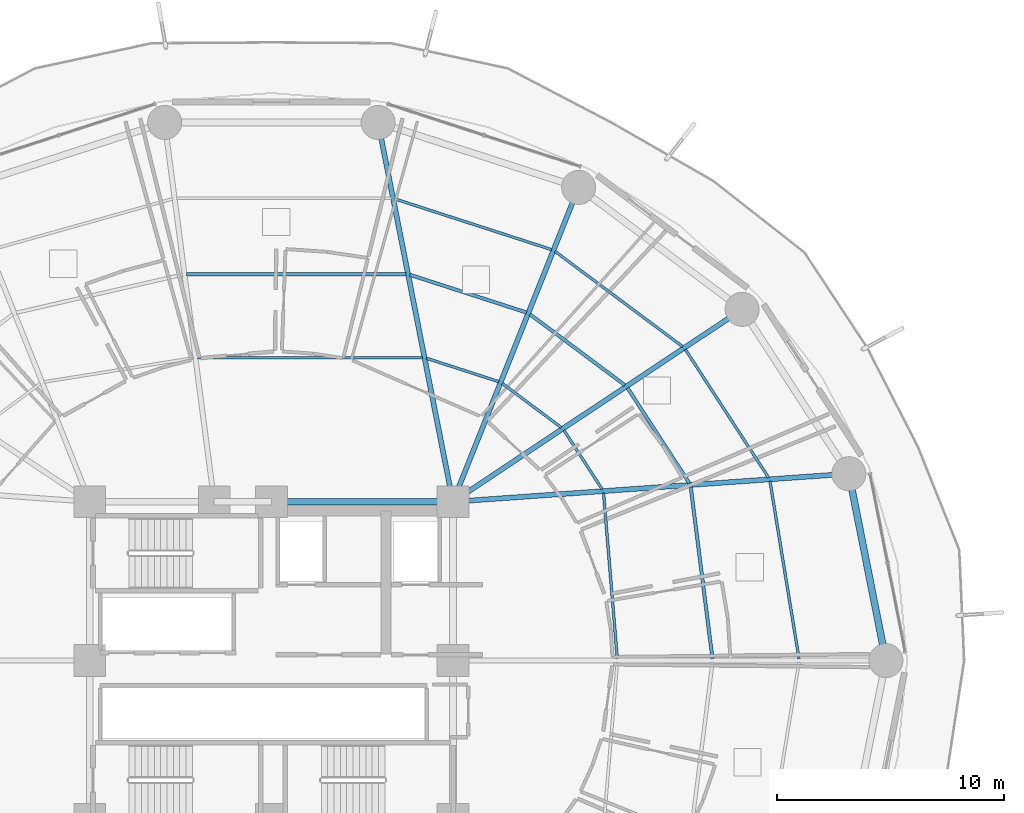
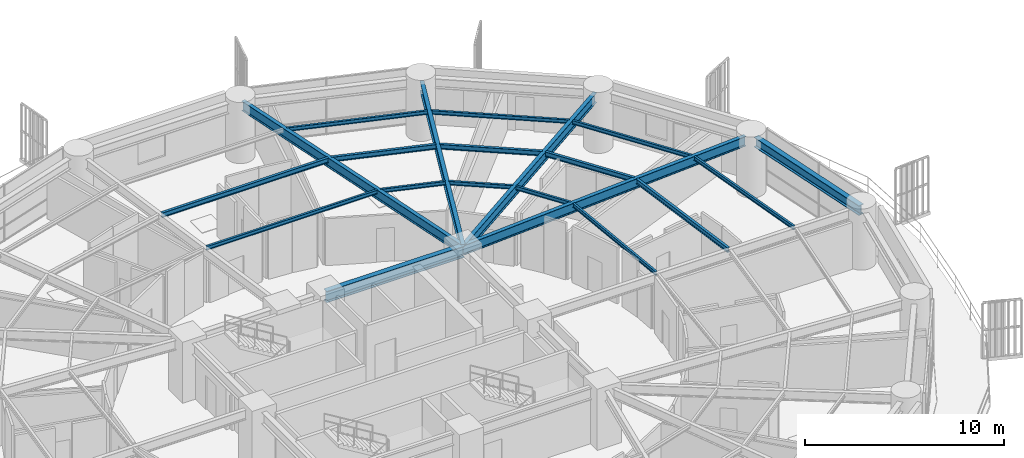
# One storey, part 19 of 33: 20 beams.
"""IFC4 building model written with IfcOpenShell, lengths in metres."""

import ifcopenshell
import ifcopenshell.guid

model = None  # the IFC model being written
_history = None  # IfcOwnerHistory: only IFC2X3 demands one
_inside = {}  # id of a spatial element -> (the spatial element, [elements in it])
_under = {}  # id of a project, library or spatial element -> (it, [spatial elements below it])
_declared = {}  # id of a project -> (the project, [libraries it declares])
_typed = {}  # id of a type object -> (the type object, [elements of that type])
_made_of = {}  # id of a material, layer set ... -> (it, [elements and type objects made of it])


def new_model(schema):
    """Start an empty IFC model of exactly this schema.

    Asked for "IFC4X3", IfcOpenShell would pick the latest addendum, in which some entities
    have other attributes; the version numbers below select the first issue.
    IFC2X3 requires an IfcOwnerHistory on every rooted entity: one is made here for all.
    """
    global model, _history
    if schema == "IFC4X3":
        model = ifcopenshell.file(schema_version=(4, 3, 0, 0))
    else:
        model = ifcopenshell.file(schema=schema)
    _inside.clear()
    _under.clear()
    _declared.clear()
    _typed.clear()
    _made_of.clear()
    _history = None
    if model.schema == "IFC2X3":
        org = make("IfcOrganization", Name="unknown")
        user = make(
            "IfcPersonAndOrganization",
            ThePerson=make("IfcPerson", FamilyName="unknown"),
            TheOrganization=org,
        )
        app = make(
            "IfcApplication",
            ApplicationDeveloper=org,
            Version="unknown",
            ApplicationFullName="unknown",
            ApplicationIdentifier="unknown",
        )
        _history = make(
            "IfcOwnerHistory",
            OwningUser=user,
            OwningApplication=app,
            ChangeAction="ADDED",
            CreationDate=0,
        )
    return model


def make(cls, **values):
    """One entity of the class cls with the attributes given. An attribute that is None is left unset."""
    return model.create_entity(
        cls, **{name: value for name, value in values.items() if value is not None}
    )


def rooted(cls, **values):
    """An entity with a GlobalId (a new one), such as an element, a storey or a relation."""
    return make(cls, GlobalId=ifcopenshell.guid.new(), OwnerHistory=_history, **values)


def si_unit(unit_type, name, prefix=None):
    """IfcSIUnit, for example si_unit("LENGTHUNIT", "METRE", prefix="MILLI")."""
    return make("IfcSIUnit", UnitType=unit_type, Prefix=prefix, Name=name)


def assignment(units):
    """IfcUnitAssignment: the units of a project."""
    return None if units is None else make("IfcUnitAssignment", Units=units)


def point(xyz):
    """IfcCartesianPoint."""
    return None if xyz is None else make("IfcCartesianPoint", Coordinates=xyz)


def direction(xyz):
    """IfcDirection."""
    return None if xyz is None else make("IfcDirection", DirectionRatios=xyz)


def frame(location, z_axis=None, x_axis=None):
    """IfcAxis2Placement3D, a coordinate frame: its origin and axes. An axis left out is left unset."""
    return make(
        "IfcAxis2Placement3D",
        Location=point(location),
        Axis=direction(z_axis),
        RefDirection=direction(x_axis),
    )


def frame_2d(location, x_axis=None):
    """IfcAxis2Placement2D, a coordinate frame in the plane: its origin and x axis."""
    return make(
        "IfcAxis2Placement2D", Location=point(location), RefDirection=direction(x_axis)
    )


def origin():
    """The frame at (0, 0, 0) with its axes left unset."""
    return frame((0.0, 0.0, 0.0))


def origin_2d():
    """The frame at (0, 0) in the plane with its x axis left unset."""
    return frame_2d((0.0, 0.0))


def place(relative_to, where):
    """IfcLocalPlacement: puts the frame where relative to a parent placement (None: the world)."""
    return make(
        "IfcLocalPlacement", PlacementRelTo=relative_to, RelativePlacement=where
    )


def context(
    kind, dimensions, precision=None, world=None, true_north=None, identifier=None
):
    """IfcGeometricRepresentationContext, for example the 3D "Model" context."""
    return make(
        "IfcGeometricRepresentationContext",
        ContextIdentifier=identifier,
        ContextType=kind,
        CoordinateSpaceDimension=dimensions,
        Precision=precision,
        WorldCoordinateSystem=world,
        TrueNorth=true_north,
    )


def subcontext(parent, identifier, kind, view, scale=None):
    """IfcGeometricRepresentationSubContext, for example "Body" below "Model"."""
    return make(
        "IfcGeometricRepresentationSubContext",
        ContextIdentifier=identifier,
        ContextType=kind,
        ParentContext=parent,
        TargetScale=scale,
        TargetView=view,
    )


def project(units=None, contexts=None):
    """IfcProject with its units and contexts."""
    return rooted(
        "IfcProject",
        Name="project",
        RepresentationContexts=contexts,
        UnitsInContext=assignment(units),
    )


def spatial(cls, under=None, at=None, **own):
    """A site, building, storey or space (cls), placed at a placement, below another one or the project."""
    s = rooted(cls, ObjectPlacement=at, **own)
    if under is not None:
        _under.setdefault(under.id(), (under, []))[1].append(s)
    return s


def profile(cls, at=None, kind="AREA", **sizes):
    """A parametric profile (cls). Its sizes go by their IFC names, for example OverallWidth=200.0."""
    return make(cls, ProfileType=kind, Position=at, **sizes)


def i_section(**sizes):
    """IfcIShapeProfileDef."""
    return profile("IfcIShapeProfileDef", **sizes)


def extrude(swept, where, along, depth):
    """IfcExtrudedAreaSolid: the profile swept, set in the frame where, extruded along a direction by depth."""
    return make(
        "IfcExtrudedAreaSolid",
        SweptArea=swept,
        Position=where,
        ExtrudedDirection=direction(along),
        Depth=depth,
    )


def shape(context_of_items, identifier, shape_type, items):
    """IfcShapeRepresentation: the items that make up one representation, for example the "Body"."""
    return make(
        "IfcShapeRepresentation",
        ContextOfItems=context_of_items,
        RepresentationIdentifier=identifier,
        RepresentationType=shape_type,
        Items=items,
    )


def material(Name=None, Category=None):
    """IfcMaterial."""
    return make("IfcMaterial", Name=Name, Category=Category)


def material_profile(
    of_material, cross_section, Name=None, Category=None, Priority=None
):
    """IfcMaterialProfile: a cross section and its material."""
    return make(
        "IfcMaterialProfile",
        Name=Name,
        Material=of_material,
        Profile=cross_section,
        Priority=Priority,
        Category=Category,
    )


def profile_set(profiles, Name=None, composite=None):
    """IfcMaterialProfileSet."""
    return make(
        "IfcMaterialProfileSet",
        Name=Name,
        MaterialProfiles=profiles,
        CompositeProfile=composite,
    )


def made_of(thing, what):
    """Note that an element or type object is made of a material, layer set ...; save() writes the relation."""
    if what is not None:
        _made_of.setdefault(what.id(), (what, []))[1].append(thing)
    return thing


def type_object(cls, material=None, **own):
    """A type object (cls), such as IfcWallType, which elements share."""
    return made_of(rooted(cls, **own), material)


def element(
    cls,
    number,
    at=None,
    inside=None,
    cuts=None,
    type_object=None,
    material=None,
    context=None,
    identifier="Body",
    shape_type=None,
    held_by="IfcProductDefinitionShape",
    body=None,
    shapes=None,
    **own,
):
    """One element of the class cls, such as IfcWall. Its Tag is "e" and its number.

    at: its placement. inside: the storey or other place that contains it. cuts: it is an
    opening in that element (IfcRelVoidsElement). A single representation is given by context,
    identifier, shape_type and body (its items); several are given by shapes. held_by: the class
    of the entity that holds the representations. save() writes the other relations.
    """
    e = rooted(cls, Tag="e%d" % number, ObjectPlacement=at, **own)
    if body is not None:
        shapes = [shape(context, identifier, shape_type, body)]
    if shapes is not None:
        e.Representation = make(held_by, Representations=shapes)
    if inside is not None:
        _inside.setdefault(inside.id(), (inside, []))[1].append(e)
    if cuts is not None:
        rooted(
            "IfcRelVoidsElement", RelatingBuildingElement=cuts, RelatedOpeningElement=e
        )
    if type_object is not None:
        _typed.setdefault(type_object.id(), (type_object, []))[1].append(e)
    return made_of(e, material)


def aggregate(whole, parts):
    """IfcRelAggregates: a whole, such as a stair, and the parts it consists of."""
    return rooted("IfcRelAggregates", RelatingObject=whole, RelatedObjects=parts)


def save(model, path):
    """Write the relations noted so far, then the file.

    IfcRelAggregates (storeys below a building ...), IfcRelContainedInSpatialStructure (elements
    in a storey), IfcRelDefinesByType, IfcRelAssociatesMaterial and IfcRelDeclares: one each for
    every whole, place, type object, material and project.
    """
    for whole, parts in _under.values():
        aggregate(whole, parts)
    for where, things in _inside.values():
        rooted(
            "IfcRelContainedInSpatialStructure",
            RelatedElements=things,
            RelatingStructure=where,
        )
    for kind, things in _typed.values():
        rooted("IfcRelDefinesByType", RelatedObjects=things, RelatingType=kind)
    for what, things in _made_of.values():
        rooted("IfcRelAssociatesMaterial", RelatedObjects=things, RelatingMaterial=what)
    for by, libraries in _declared.values():
        rooted("IfcRelDeclares", RelatingContext=by, RelatedDefinitions=libraries)
    model.write(path)


model = new_model("IFC4")

# Units and contexts
model_context = context("Model", 3, precision=1e-05, world=origin(), true_north=direction((0.0, 1.0)))
body_context = subcontext(model_context, "Body", "Model", "MODEL_VIEW")
ifc_project = project(units=[si_unit("LENGTHUNIT", "METRE"), si_unit("AREAUNIT", "SQUARE_METRE"), si_unit("VOLUMEUNIT", "CUBIC_METRE"), si_unit("PLANEANGLEUNIT", "RADIAN"), si_unit("MASSUNIT", "GRAM", prefix="KILO")], contexts=[model_context])

# Site, building, storey
site_placement = place(None, origin())
site = spatial("IfcSite", under=ifc_project, at=site_placement, CompositionType="ELEMENT")
building_placement = place(site_placement, origin())
building = spatial("IfcBuilding", under=site, at=building_placement, Name="Kelanora Arch Commons", CompositionType="ELEMENT")
storey_placement = place(building_placement, frame((0.0, 0.0, 26.25)))
storey = spatial("IfcBuildingStorey", under=building, at=storey_placement, Name="L06", CompositionType="ELEMENT", Elevation=26.25)

# Beams
ifc_material = material(Name="Steel S355", Category="steel")
ifc_material_profile_1 = material_profile(ifc_material, i_section(OverallWidth=0.300048828125, OverallDepth=0.699951171875, WebThickness=0.01708984375, FlangeThickness=0.031982421875, FilletRadius=0.027099609375, at=origin_2d()), Name="HEB700")
ifc_profile_set_1 = profile_set([ifc_material_profile_1], Name="Steel S355")
beam_type_1 = type_object("IfcBeamType", Name="BM-CORE-HDR", PredefinedType="BEAM", material=ifc_profile_set_1)
beam_1_placement = place(storey_placement, frame((82.0, 65.0, 3.139892578125), z_axis=(-1.0, 0.0, 0.0), x_axis=(0.0, -1.0, 0.0)))
element("IfcBeam", 1, at=beam_1_placement, inside=storey, type_object=beam_type_1, Name="Core Header Beam 05 L06", PredefinedType="BEAM", context=body_context, shape_type="SweptSolid", body=[
    extrude(i_section(OverallWidth=0.300048828125, OverallDepth=0.699951171875, WebThickness=0.01708984375, FlangeThickness=0.031982421875, FilletRadius=0.027099609375, at=origin_2d()), origin(), (0.0, 0.0, 1.0), 8.0),
])
ifc_material_profile_2 = material_profile(ifc_material, i_section(OverallWidth=0.14990234375, OverallDepth=0.300048828125, WebThickness=0.007080078125, FlangeThickness=0.0107421875, FilletRadius=0.014892578125, at=origin_2d()), Name="IPE300")
ifc_profile_set_2 = profile_set([ifc_material_profile_2], Name="Steel S355")
beam_type_2 = type_object("IfcBeamType", Name="BM-JST-01", PredefinedType="JOIST", material=ifc_profile_set_2)
beam_2_placement = place(storey_placement, frame((93.437255859375, 58.084228515625, 3.340087890625), z_axis=(-0.125565841651, 0.992085288375, 0.0), x_axis=(-0.992085288375, -0.125565841651, 0.0)))
element("IfcBeam", 2, at=beam_2_placement, inside=storey, type_object=beam_type_2, Name="Secondary Chord Joist BJB-00 L06", PredefinedType="JOIST", context=body_context, shape_type="SweptSolid", body=[
    extrude(i_section(OverallWidth=0.14990234375, OverallDepth=0.300048828125, WebThickness=0.007080078125, FlangeThickness=0.0107421875, FilletRadius=0.014892578125, at=origin_2d()), origin(), (0.0, 0.0, 1.0), 7.63330078125),
])
beam_3_placement = place(storey_placement, frame((92.421875, 65.812744140625, 3.340087890625), z_axis=(-0.544551588245, 0.838727350061, 0.0), x_axis=(-0.838727350061, -0.544551588245, 0.0)))
element("IfcBeam", 3, at=beam_3_placement, inside=storey, type_object=beam_type_2, Name="Secondary Chord Joist BJB-02 L06", PredefinedType="JOIST", context=body_context, shape_type="SweptSolid", body=[
    extrude(i_section(OverallWidth=0.14990234375, OverallDepth=0.300048828125, WebThickness=0.007080078125, FlangeThickness=0.0107421875, FilletRadius=0.014892578125, at=origin_2d()), origin(), (0.0, 0.0, 1.0), 5.010986328125),
])
beam_4_placement = place(storey_placement, frame((89.57861328125, 70.1376953125, 3.340087890625), z_axis=(-0.801478251559, 0.598023922831, 0.0), x_axis=(-0.598023922831, -0.801478251559, 0.0)))
element("IfcBeam", 4, at=beam_4_placement, inside=storey, type_object=beam_type_2, Name="Secondary Chord Joist BJB-04 L06", PredefinedType="JOIST", context=body_context, shape_type="SweptSolid", body=[
    extrude(i_section(OverallWidth=0.14990234375, OverallDepth=0.300048828125, WebThickness=0.007080078125, FlangeThickness=0.0107421875, FilletRadius=0.014892578125, at=origin_2d()), origin(), (0.0, 0.0, 1.0), 5.223388671875),
])
beam_5_placement = place(storey_placement, frame((85.2431640625, 73.33837890625, 3.340087890625), z_axis=(-0.951412209627, 0.307920131482, 0.0), x_axis=(-0.307920131482, -0.951412209627, 0.0)))
element("IfcBeam", 5, at=beam_5_placement, inside=storey, type_object=beam_type_2, Name="Secondary Chord Joist BJB-06 L06", PredefinedType="JOIST", context=body_context, shape_type="SweptSolid", body=[
    extrude(i_section(OverallWidth=0.14990234375, OverallDepth=0.300048828125, WebThickness=0.007080078125, FlangeThickness=0.0107421875, FilletRadius=0.014892578125, at=origin_2d()), origin(), (0.0, 0.0, 1.0), 5.4033203125),
])
beam_6_placement = place(storey_placement, frame((79.936279296875, 75.028564453125, 3.340087890625), z_axis=(-1.0, 0.0, 0.0), x_axis=(0.0, -1.0, 0.0)))
element("IfcBeam", 6, at=beam_6_placement, inside=storey, type_object=beam_type_2, Name="Secondary Chord Joist BJB-08 L06", PredefinedType="JOIST", context=body_context, shape_type="SweptSolid", body=[
    extrude(i_section(OverallWidth=0.14990234375, OverallDepth=0.300048828125, WebThickness=0.007080078125, FlangeThickness=0.0107421875, FilletRadius=0.014892578125, at=origin_2d()), origin(), (0.0, 0.0, 1.0), 9.6806640625),
])
ifc_material_profile_3 = material_profile(ifc_material, i_section(OverallWidth=0.1201171875, OverallDepth=0.239990234375, WebThickness=0.006103515625, FlangeThickness=0.009765625, FilletRadius=0.014892578125, at=origin_2d()), Name="IPE240")
ifc_profile_set_3 = profile_set([ifc_material_profile_3], Name="Steel S355")
beam_type_3 = type_object("IfcBeamType", Name="BM-JST-02", PredefinedType="JOIST", material=ifc_profile_set_3)
beam_7_placement = place(storey_placement, frame((89.243408203125, 58.084716796875, 3.3701171875), z_axis=(-0.082786209886, 0.996567330115, 0.0), x_axis=(-0.996567330115, -0.082786209886, 0.0)))
element("IfcBeam", 7, at=beam_7_placement, inside=storey, type_object=beam_type_3, Name="Secondary Chord Joist BJA-00 L06", PredefinedType="JOIST", context=body_context, shape_type="SweptSolid", body=[
    extrude(i_section(OverallWidth=0.1201171875, OverallDepth=0.239990234375, WebThickness=0.006103515625, FlangeThickness=0.009765625, FilletRadius=0.014892578125, at=origin_2d()), origin(), (0.0, 0.0, 1.0), 7.325439453125),
])
beam_8_placement = place(storey_placement, frame((97.250244140625, 58.083984375, 3.3701171875), z_axis=(-0.161400737199, 0.986888951216, 0.0), x_axis=(-0.986888951216, -0.161400737199, 0.0)))
element("IfcBeam", 8, at=beam_8_placement, inside=storey, type_object=beam_type_3, Name="Secondary Chord Joist BJC-00 L06", PredefinedType="JOIST", context=body_context, shape_type="SweptSolid", body=[
    extrude(i_section(OverallWidth=0.1201171875, OverallDepth=0.239990234375, WebThickness=0.006103515625, FlangeThickness=0.009765625, FilletRadius=0.014892578125, at=origin_2d()), origin(), (0.0, 0.0, 1.0), 7.9248046875),
])
beam_9_placement = place(storey_placement, frame((88.58349609375, 65.541015625, 3.3701171875), z_axis=(-0.544591105858, 0.838701691557, 0.0), x_axis=(-0.838701691557, -0.544591105858, 0.0)))
element("IfcBeam", 9, at=beam_9_placement, inside=storey, type_object=beam_type_3, Name="Secondary Chord Joist BJA-02 L06", PredefinedType="JOIST", context=body_context, shape_type="SweptSolid", body=[
    extrude(i_section(OverallWidth=0.1201171875, OverallDepth=0.239990234375, WebThickness=0.006103515625, FlangeThickness=0.009765625, FilletRadius=0.014892578125, at=origin_2d()), origin(), (0.0, 0.0, 1.0), 3.111328125),
])
beam_10_placement = place(storey_placement, frame((95.9111328125, 66.059814453125, 3.3701171875), z_axis=(-0.544550165372, 0.838728273873, 0.0), x_axis=(-0.838728273873, -0.544550165372, 0.0)))
element("IfcBeam", 10, at=beam_10_placement, inside=storey, type_object=beam_type_3, Name="Secondary Chord Joist BJC-02 L06", PredefinedType="JOIST", context=body_context, shape_type="SweptSolid", body=[
    extrude(i_section(OverallWidth=0.1201171875, OverallDepth=0.239990234375, WebThickness=0.006103515625, FlangeThickness=0.009765625, FilletRadius=0.014892578125, at=origin_2d()), origin(), (0.0, 0.0, 1.0), 6.738037109375),
])
beam_11_placement = place(storey_placement, frame((86.77490234375, 68.272705078125, 3.3701171875), z_axis=(-0.801513822608, 0.59797624716, 0.0), x_axis=(-0.59797624716, -0.801513822608, 0.0)))
element("IfcBeam", 11, at=beam_11_placement, inside=storey, type_object=beam_type_3, Name="Secondary Chord Joist BJA-04 L06", PredefinedType="JOIST", context=body_context, shape_type="SweptSolid", body=[
    extrude(i_section(OverallWidth=0.1201171875, OverallDepth=0.239990234375, WebThickness=0.006103515625, FlangeThickness=0.009765625, FilletRadius=0.014892578125, at=origin_2d()), origin(), (0.0, 0.0, 1.0), 3.245849609375),
])
beam_12_placement = place(storey_placement, frame((92.12744140625, 71.83349609375, 3.3701171875), z_axis=(-0.80149131963, 0.598006408459, 0.0), x_axis=(-0.598006408459, -0.80149131963, 0.0)))
element("IfcBeam", 12, at=beam_12_placement, inside=storey, type_object=beam_type_3, Name="Secondary Chord Joist BJC-04 L06", PredefinedType="JOIST", context=body_context, shape_type="SweptSolid", body=[
    extrude(i_section(OverallWidth=0.1201171875, OverallDepth=0.239990234375, WebThickness=0.006103515625, FlangeThickness=0.009765625, FilletRadius=0.014892578125, at=origin_2d()), origin(), (0.0, 0.0, 1.0), 7.021240234375),
])
beam_13_placement = place(storey_placement, frame((84.0244140625, 70.290771484375, 3.3701171875), z_axis=(-0.951422608074, 0.30788800049, 0.0), x_axis=(-0.30788800049, -0.951422608074, 0.0)))
element("IfcBeam", 13, at=beam_13_placement, inside=storey, type_object=beam_type_3, Name="Secondary Chord Joist BJA-06 L06", PredefinedType="JOIST", context=body_context, shape_type="SweptSolid", body=[
    extrude(i_section(OverallWidth=0.1201171875, OverallDepth=0.239990234375, WebThickness=0.006103515625, FlangeThickness=0.009765625, FilletRadius=0.014892578125, at=origin_2d()), origin(), (0.0, 0.0, 1.0), 3.359619140625),
])
beam_14_placement = place(storey_placement, frame((86.35107421875, 76.109375, 3.3701171875), z_axis=(-0.951410915705, 0.307924129418, 0.0), x_axis=(-0.307924129418, -0.951410915705, 0.0)))
element("IfcBeam", 14, at=beam_14_placement, inside=storey, type_object=beam_type_3, Name="Secondary Chord Joist BJC-06 L06", PredefinedType="JOIST", context=body_context, shape_type="SweptSolid", body=[
    extrude(i_section(OverallWidth=0.1201171875, OverallDepth=0.239990234375, WebThickness=0.006103515625, FlangeThickness=0.009765625, FilletRadius=0.014892578125, at=origin_2d()), origin(), (0.0, 0.0, 1.0), 7.260986328125),
])
beam_15_placement = place(storey_placement, frame((80.661865234375, 71.351318359375, 3.3701171875), z_axis=(-1.0, 0.0, 0.0), x_axis=(0.0, -1.0, 0.0)))
element("IfcBeam", 15, at=beam_15_placement, inside=storey, type_object=beam_type_3, Name="Secondary Chord Joist BJA-08 L06", PredefinedType="JOIST", context=body_context, shape_type="SweptSolid", body=[
    extrude(i_section(OverallWidth=0.1201171875, OverallDepth=0.239990234375, WebThickness=0.006103515625, FlangeThickness=0.009765625, FilletRadius=0.014892578125, at=origin_2d()), origin(), (0.0, 0.0, 1.0), 9.92626953125),
])
ifc_material_profile_4 = material_profile(ifc_material, i_section(OverallWidth=0.219970703125, OverallDepth=0.60009765625, WebThickness=0.011962890625, FlangeThickness=0.01904296875, FilletRadius=0.02392578125, at=origin_2d()), Name="IPE600")
ifc_profile_set_4 = profile_set([ifc_material_profile_4], Name="Steel S355")
beam_type_4 = type_object("IfcBeamType", Name="BM-RAD-Z1", PredefinedType="BEAM", material=ifc_profile_set_4)
beam_16_placement = place(storey_placement, frame((82.0, 65.0, 3.18994140625), z_axis=(0.997500678462, 0.070656892572, 0.0), x_axis=(-0.070656892572, 0.997500678462, 0.0)))
element("IfcBeam", 16, at=beam_16_placement, inside=storey, type_object=beam_type_4, Name="Radial Floor Girder BR-02 L06", PredefinedType="BEAM", context=body_context, shape_type="SweptSolid", body=[
    extrude(i_section(OverallWidth=0.219970703125, OverallDepth=0.60009765625, WebThickness=0.011962890625, FlangeThickness=0.01904296875, FilletRadius=0.02392578125, at=origin_2d()), origin(), (0.0, 0.0, 1.0), 17.110595703125),
])
beam_17_placement = place(storey_placement, frame((82.0, 65.0, 3.18994140625), z_axis=(0.832590897434, 0.553888434173, 0.0), x_axis=(-0.553888434173, 0.832590897434, 0.0)))
element("IfcBeam", 17, at=beam_17_placement, inside=storey, type_object=beam_type_4, Name="Radial Floor Girder BR-04 L06", PredefinedType="BEAM", context=body_context, shape_type="SweptSolid", body=[
    extrude(i_section(OverallWidth=0.219970703125, OverallDepth=0.60009765625, WebThickness=0.011962890625, FlangeThickness=0.01904296875, FilletRadius=0.02392578125, at=origin_2d()), origin(), (0.0, 0.0, 1.0), 14.9267578125),
])
beam_18_placement = place(storey_placement, frame((82.0, 65.0, 3.18994140625), z_axis=(0.37129803903, 0.928513740454, 0.0), x_axis=(-0.928513740454, 0.37129803903, 0.0)))
element("IfcBeam", 18, at=beam_18_placement, inside=storey, type_object=beam_type_4, Name="Radial Floor Girder BR-06 L06", PredefinedType="BEAM", context=body_context, shape_type="SweptSolid", body=[
    extrude(i_section(OverallWidth=0.219970703125, OverallDepth=0.60009765625, WebThickness=0.011962890625, FlangeThickness=0.01904296875, FilletRadius=0.02392578125, at=origin_2d()), origin(), (0.0, 0.0, 1.0), 14.540771484375),
])
beam_19_placement = place(storey_placement, frame((82.0, 65.0, 3.18994140625), z_axis=(-0.193555256292, 0.981089375522, 0.0), x_axis=(-0.981089375522, -0.193555256292, 0.0)))
element("IfcBeam", 19, at=beam_19_placement, inside=storey, type_object=beam_type_4, Name="Radial Floor Girder BR-08 L06", PredefinedType="BEAM", context=body_context, shape_type="SweptSolid", body=[
    extrude(i_section(OverallWidth=0.219970703125, OverallDepth=0.60009765625, WebThickness=0.011962890625, FlangeThickness=0.01904296875, FilletRadius=0.02392578125, at=origin_2d()), origin(), (0.0, 0.0, 1.0), 16.81640625),
])
ifc_material_profile_5 = material_profile(ifc_material, i_section(OverallWidth=0.300048828125, OverallDepth=0.60009765625, WebThickness=0.015380859375, FlangeThickness=0.030029296875, FilletRadius=0.027099609375, at=origin_2d()), Name="HEB600")
ifc_profile_set_5 = profile_set([ifc_material_profile_5], Name="Steel S355")
beam_type_5 = type_object("IfcBeamType", Name="BM-SPN-Z1", PredefinedType="SPANDREL", material=ifc_profile_set_5)
beam_20_placement = place(storey_placement, frame((101.080078125, 58.0, 3.18994140625), z_axis=(-0.194522790633, 0.980897998736, 0.0), x_axis=(-0.980897998736, -0.194522790633, 0.0)))
element("IfcBeam", 20, at=beam_20_placement, inside=storey, type_object=beam_type_5, Name="Perimeter Spandrel Beam BS-00 L06", PredefinedType="SPANDREL", context=body_context, shape_type="SweptSolid", body=[
    extrude(i_section(OverallWidth=0.300048828125, OverallDepth=0.60009765625, WebThickness=0.015380859375, FlangeThickness=0.030029296875, FilletRadius=0.027099609375, at=origin_2d()), origin(), (0.0, 0.0, 1.0), 8.01611328125),
])

save(model, "model.ifc")
